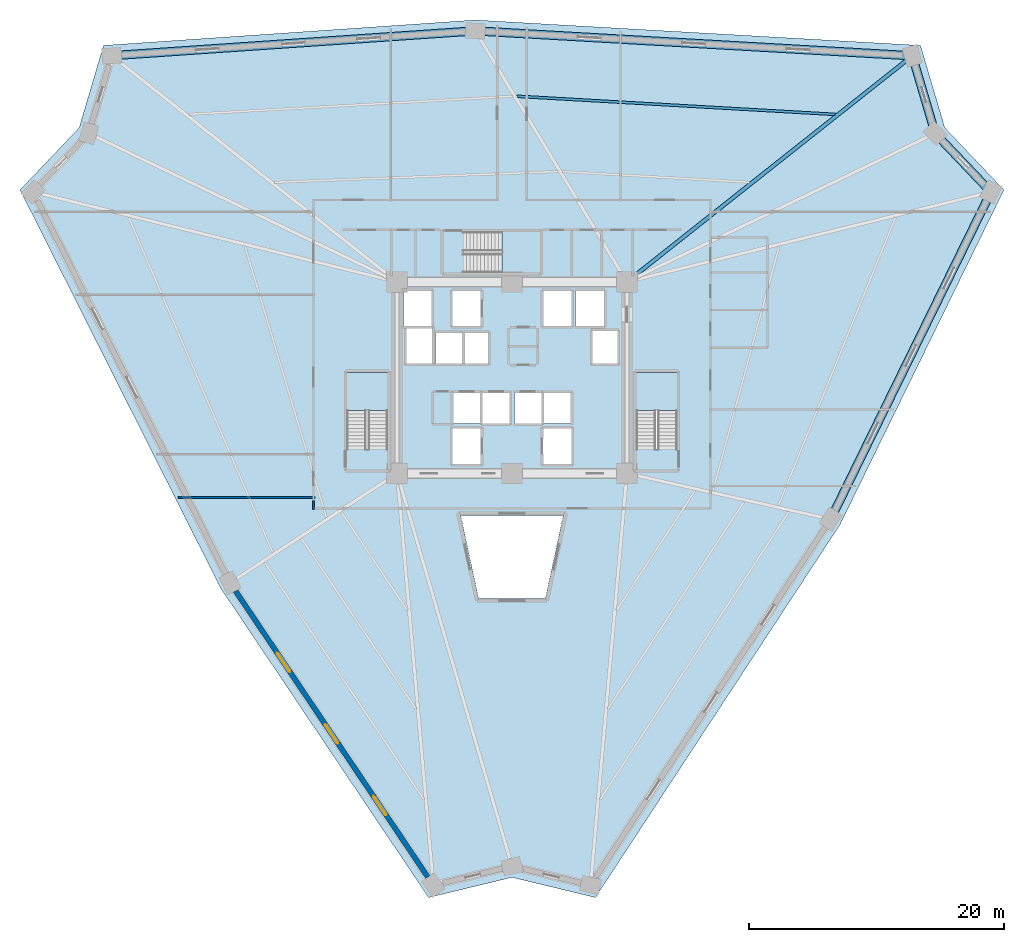
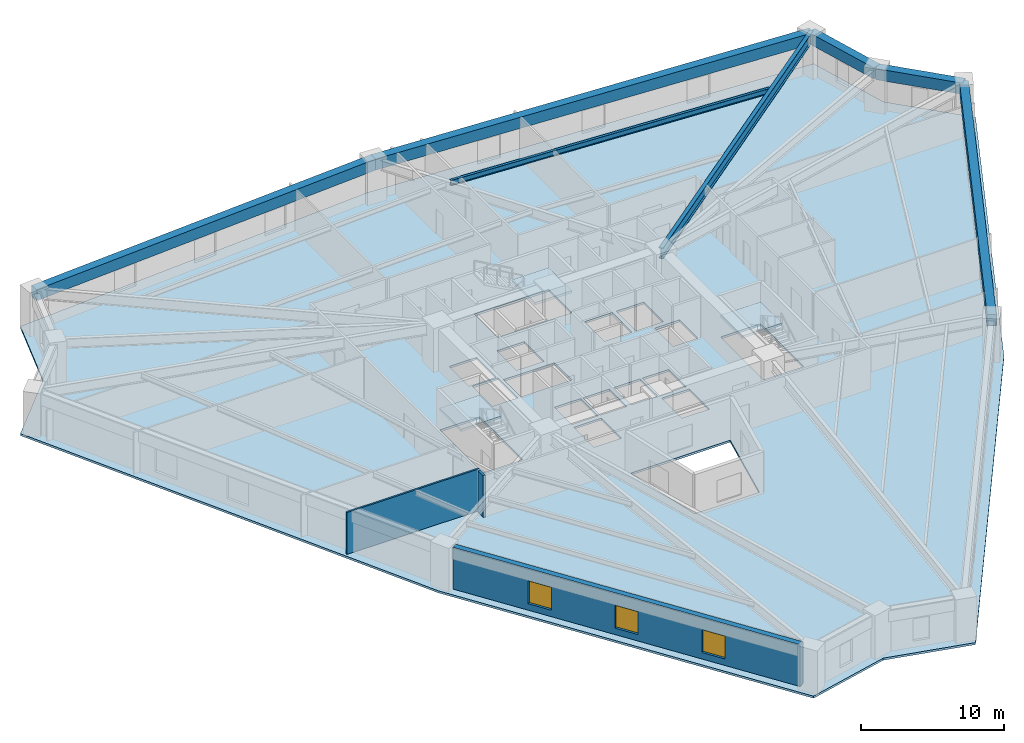
# One storey, part 2 of 8: 7 beams, 4 slabs, 3 walls, 3 windows, 3 openings, 3 elements without a shape of their own.
"""IFC4 building model written with IfcOpenShell, lengths in metres."""

from ifc_helpers import new_model, si_unit, direction, frame, frame_2d, origin, origin_2d, place, context, subcontext, project, spatial, polyline, rectangle, i_section, outline, extrude, source, transform, mapped, material, layer, layer_set, material_profile, profile_set, type_object, element, fill, aggregate, save


model = new_model("IFC4")

# Units and contexts
model_context = context("Model", 3, precision=1e-05, world=origin(), true_north=direction((0.0, 1.0)))
body_context = subcontext(model_context, "Body", "Model", "MODEL_VIEW")
ifc_project = project(units=[si_unit("LENGTHUNIT", "METRE"), si_unit("AREAUNIT", "SQUARE_METRE"), si_unit("VOLUMEUNIT", "CUBIC_METRE"), si_unit("PLANEANGLEUNIT", "RADIAN"), si_unit("MASSUNIT", "GRAM", prefix="KILO")], contexts=[model_context])

# Site, building, storey
site_placement = place(None, origin())
site = spatial("IfcSite", under=ifc_project, at=site_placement, CompositionType="ELEMENT")
building_placement = place(site_placement, origin())
building = spatial("IfcBuilding", under=site, at=building_placement, Name="Liaohun Quay Tower", CompositionType="ELEMENT")
storey_placement = place(building_placement, frame((0.0, 0.0, 85.5)))
storey = spatial("IfcBuildingStorey", under=building, at=storey_placement, Name="L22", CompositionType="ELEMENT", Elevation=85.5)

# Beams
ifc_material_1 = material(Name="Steel Q420D", Category="steel")
ifc_material_profile_1 = material_profile(ifc_material_1, i_section(OverallWidth=0.300048828125, OverallDepth=0.89990234375, WebThickness=0.01611328125, FlangeThickness=0.028076171875, at=origin_2d()), Name="HN900x300x16x28")
ifc_profile_set_1 = profile_set([ifc_material_profile_1], Name="Steel Q420D")
beam_type_1 = type_object("IfcBeamType", Name="BM-RAD-H1", PredefinedType="BEAM", material=ifc_profile_set_1)
shared_shape_1 = source(origin(), body_context, "Body", "SweptSolid", [
    extrude(i_section(OverallWidth=0.300048828125, OverallDepth=0.89990234375, WebThickness=0.01611328125, FlangeThickness=0.028076171875, at=origin_2d()), origin(), (0.0, 0.0, 1.0), 28.531005859375),
])
beam_1_placement = place(storey_placement, frame((69.0, 61.5, 3.1201171875), z_axis=(0.783884255344, 0.620906977109, 0.0), x_axis=(-0.620906977109, 0.783884255344, 0.0)))
element("IfcBeam", 1, at=beam_1_placement, inside=storey, type_object=beam_type_1, Name="L22 Radial Primary Girder CC4-PC07", PredefinedType="BEAM", context=body_context, shape_type="MappedRepresentation", body=[
    mapped(shared_shape_1, transform((0.0, 0.0, 0.0), x_axis=(1.0, 0.0, 0.0), y_axis=(0.0, 1.0, 0.0), z_axis=(0.0, 0.0, 1.0), scale=1.0)),
])
ifc_material_2 = material(Name="Steel Q355D", Category="steel")
ifc_material_profile_2 = material_profile(ifc_material_2, i_section(OverallWidth=0.199951171875, OverallDepth=0.449951171875, WebThickness=0.009033203125, FlangeThickness=0.013916015625, at=origin_2d()), Name="HN450x200x9x14")
ifc_profile_set_2 = profile_set([ifc_material_profile_2], Name="Steel Q355D")
beam_type_2 = type_object("IfcBeamType", Name="BM-SEC-J1", PredefinedType="JOIST", material=ifc_profile_set_2)
shared_shape_2 = source(origin(), body_context, "Body", "SweptSolid", [
    extrude(i_section(OverallWidth=0.199951171875, OverallDepth=0.449951171875, WebThickness=0.009033203125, FlangeThickness=0.013916015625, at=origin_2d()), origin(), (0.0, 0.0, 1.0), 24.972412109375),
])
beam_2_placement = place(storey_placement, frame((60.39306640625, 76.0439453125, 3.344970703125), z_axis=(0.99837772379, -0.056937866485, 0.0), x_axis=(0.056937866485, 0.99837772379, 0.0)))
element("IfcBeam", 2, at=beam_2_placement, inside=storey, type_object=beam_type_2, Name="L22 Wing Secondary Floor Joist SJ-09", PredefinedType="JOIST", context=body_context, shape_type="MappedRepresentation", body=[
    mapped(shared_shape_2, transform((0.0, 0.0, 0.0), x_axis=(1.0, 0.0, 0.0), y_axis=(0.0, 1.0, 0.0), z_axis=(0.0, 0.0, 1.0), scale=1.0)),
])
ifc_material_3 = material(Name="Precast concrete C55", Category="concrete")
ifc_material_profile_3 = material_profile(ifc_material_3, rectangle(XDim=0.64990234375, YDim=0.949951171875, at=origin_2d()), Name="RC650x950")
ifc_profile_set_3 = profile_set([ifc_material_profile_3], Name="Precast concrete C55")
beam_type_3 = type_object("IfcBeamType", Name="BM-SPD-Z1", PredefinedType="SPANDREL", material=ifc_profile_set_3)
shared_shape_3 = source(origin(), body_context, "Body", "SweptSolid", [
    extrude(rectangle(XDim=0.64990234375, YDim=0.949951171875, at=origin_2d()), origin(), (0.0, 0.0, 1.0), 28.553466796875),
])
beam_3_placement = place(storey_placement, frame((28.636962890625, 79.221923828125, 3.094970703125), z_axis=(0.997674782154, 0.068154449993, 0.0), x_axis=(-0.068154449993, 0.997674782154, 0.0)))
element("IfcBeam", 3, at=beam_3_placement, inside=storey, type_object=beam_type_3, Name="L22 Precast Spandrel Beam PC05-PC06", PredefinedType="SPANDREL", context=body_context, shape_type="MappedRepresentation", body=[
    mapped(shared_shape_3, transform((0.0, 0.0, 0.0), x_axis=(1.0, 0.0, 0.0), y_axis=(0.0, 1.0, 0.0), z_axis=(0.0, 0.0, 1.0), scale=1.0)),
])
shared_shape_4 = source(origin(), body_context, "Body", "SweptSolid", [
    extrude(rectangle(XDim=0.64990234375, YDim=0.949951171875, at=origin_2d()), origin(), (0.0, 0.0, 1.0), 34.296630859375),
])
beam_4_placement = place(storey_placement, frame((57.1240234375, 81.16796875, 3.094970703125), z_axis=(0.998377549217, -0.056940927453, 0.0), x_axis=(0.056940927453, 0.998377549217, 0.0)))
element("IfcBeam", 4, at=beam_4_placement, inside=storey, type_object=beam_type_3, Name="L22 Precast Spandrel Beam PC06-PC07", PredefinedType="SPANDREL", context=body_context, shape_type="MappedRepresentation", body=[
    mapped(shared_shape_4, transform((0.0, 0.0, 0.0), x_axis=(1.0, 0.0, 0.0), y_axis=(0.0, 1.0, 0.0), z_axis=(0.0, 0.0, 1.0), scale=1.0)),
])
shared_shape_5 = source(origin(), body_context, "Body", "SweptSolid", [
    extrude(rectangle(XDim=0.64990234375, YDim=0.949951171875, at=origin_2d()), origin(), (0.0, 0.0, 1.0), 6.331298828125),
])
beam_5_placement = place(storey_placement, frame((91.364990234375, 79.215087890625, 3.094970703125), z_axis=(0.282727863504, -0.959200164303, 0.0), x_axis=(0.959200164303, 0.282727863504, 0.0)))
element("IfcBeam", 5, at=beam_5_placement, inside=storey, type_object=beam_type_3, Name="L22 Precast Spandrel Beam PC07-PC08", PredefinedType="SPANDREL", context=body_context, shape_type="MappedRepresentation", body=[
    mapped(shared_shape_5, transform((0.0, 0.0, 0.0), x_axis=(1.0, 0.0, 0.0), y_axis=(0.0, 1.0, 0.0), z_axis=(0.0, 0.0, 1.0), scale=1.0)),
])
shared_shape_6 = source(origin(), body_context, "Body", "SweptSolid", [
    extrude(rectangle(XDim=0.64990234375, YDim=0.949951171875, at=origin_2d()), origin(), (0.0, 0.0, 1.0), 6.3388671875),
])
beam_6_placement = place(storey_placement, frame((93.155029296875, 73.14208984375, 3.094970703125), z_axis=(0.689365642578, -0.724413563397, 0.0), x_axis=(0.724413563397, 0.689365642578, 0.0)))
element("IfcBeam", 6, at=beam_6_placement, inside=storey, type_object=beam_type_3, Name="L22 Precast Spandrel Beam PC08-PC09", PredefinedType="SPANDREL", context=body_context, shape_type="MappedRepresentation", body=[
    mapped(shared_shape_6, transform((0.0, 0.0, 0.0), x_axis=(1.0, 0.0, 0.0), y_axis=(0.0, 1.0, 0.0), z_axis=(0.0, 0.0, 1.0), scale=1.0)),
])
shared_shape_7 = source(origin(), body_context, "Body", "SweptSolid", [
    extrude(rectangle(XDim=0.64990234375, YDim=0.949951171875, at=origin_2d()), origin(), (0.0, 0.0, 1.0), 28.552978515625),
])
beam_7_placement = place(storey_placement, frame((97.52490234375, 68.550048828125, 3.094970703125), z_axis=(-0.439810731033, -0.898090485902, 0.0), x_axis=(0.898090485902, -0.439810731033, 0.0)))
element("IfcBeam", 7, at=beam_7_placement, inside=storey, type_object=beam_type_3, Name="L22 Precast Spandrel Beam PC09-PC10", PredefinedType="SPANDREL", context=body_context, shape_type="MappedRepresentation", body=[
    mapped(shared_shape_7, transform((0.0, 0.0, 0.0), x_axis=(1.0, 0.0, 0.0), y_axis=(0.0, 1.0, 0.0), z_axis=(0.0, 0.0, 1.0), scale=1.0)),
])

# Stair, slab
ifc_material_4 = material(Name="Concrete C45", Category="concrete")
stair_type = type_object("IfcStairType", Name="STR-CORE-OFF", PredefinedType="HALF_TURN_STAIR", material=ifc_material_4)
stair_1_placement = place(storey_placement, origin())
stair_1 = element("IfcStair", 8, at=stair_1_placement, inside=storey, type_object=stair_type, Name="L22 Smokeproof Core Exit Stair ST-1", PredefinedType="HALF_TURN_STAIR")
ifc_layer_1 = layer(ifc_material_4, 0.199951171875, Name="Concrete C45", Category="concrete")
ifc_layer_set_1 = layer_set([ifc_layer_1], Name="Concrete C45")
slab_type_1 = type_object("IfcSlabType", Name="SLB-LND-200", PredefinedType="LANDING", material=ifc_layer_set_1)
slab_1_placement = place(storey_placement, frame((0.0, 0.0, 1.675048828125)))
slab_1 = element("IfcSlab", 9, at=slab_1_placement, type_object=slab_type_1, Name="ST-1 landing 1", PredefinedType="LANDING", context=body_context, shape_type="SweptSolid", body=[
    extrude(outline(polyline([(50.280029296875, 51.429931640625), (50.280029296875, 54.419921875), (47.0400390625, 54.419921875), (47.0400390625, 51.429931640625), (50.280029296875, 51.429931640625)])), origin(), (0.0, 0.0, 1.0), 0.199951171875),
])
aggregate(stair_1, [slab_1])

stair_2_placement = place(storey_placement, origin())
stair_2 = element("IfcStair", 10, at=stair_2_placement, inside=storey, type_object=stair_type, Name="L22 Smokeproof Core Exit Stair ST-2", PredefinedType="HALF_TURN_STAIR")
slab_2_placement = place(storey_placement, frame((0.0, 0.0, 1.675048828125)))
slab_2 = element("IfcSlab", 11, at=slab_2_placement, type_object=slab_type_1, Name="ST-2 landing 1", PredefinedType="LANDING", context=body_context, shape_type="SweptSolid", body=[
    extrude(outline(polyline([(72.9599609375, 51.429931640625), (72.9599609375, 54.419921875), (69.719970703125, 54.419921875), (69.719970703125, 51.429931640625), (72.9599609375, 51.429931640625)])), origin(), (0.0, 0.0, 1.0), 0.199951171875),
])
aggregate(stair_2, [slab_2])

stair_3_placement = place(storey_placement, origin())
stair_3 = element("IfcStair", 12, at=stair_3_placement, inside=storey, type_object=stair_type, Name="L22 Smokeproof Core Exit Stair ST-3", PredefinedType="HALF_TURN_STAIR")
slab_3_placement = place(storey_placement, frame((0.0, 0.0, 1.675048828125)))
slab_3 = element("IfcSlab", 13, at=slab_3_placement, type_object=slab_type_1, Name="ST-3 landing 1", PredefinedType="LANDING", context=body_context, shape_type="SweptSolid", body=[
    extrude(outline(polyline([(59.22998046875, 62.199951171875), (62.219970703125, 62.199951171875), (62.219970703125, 65.43994140625), (59.22998046875, 65.43994140625), (59.22998046875, 62.199951171875)])), origin(), (0.0, 0.0, 1.0), 0.199951171875),
])
aggregate(stair_3, [slab_3])

# Slab
ifc_layer_2 = layer(ifc_material_4, 0.179931640625, Name="Concrete C45", Category="concrete")
ifc_layer_set_2 = layer_set([ifc_layer_2], Name="Concrete C45")
slab_type_2 = type_object("IfcSlabType", Name="SLB-OFF-180", PredefinedType="FLOOR", material=ifc_layer_set_2)
slab_4_placement = place(storey_placement, frame((0.0, 0.0, -0.179931640625)))
element("IfcSlab", 14, at=slab_4_placement, inside=storey, type_object=slab_type_2, Name="L22 Structural Floor Slab", PredefinedType="FLOOR", context=body_context, shape_type="SweptSolid", body=[
    extrude(outline(polyline([(53.462890625, 13.261962890625), (60.0, 14.841064453125), (66.537109375, 13.261962890625), (85.70703125, 42.485107421875), (98.549072265625, 68.70703125), (93.912109375, 73.5791015625), (92.010986328125, 80.030029296875), (57.118896484375, 82.02001953125), (27.989013671875, 80.030029296875), (26.087890625, 73.5791015625), (21.450927734375, 68.70703125), (37.174072265625, 37.4951171875), (53.462890625, 13.261962890625)]), holes=[polyline([(57.56005859375, 47.2099609375), (57.56005859375, 50.030029296875), (55.340087890625, 50.030029296875), (55.340087890625, 47.2099609375), (57.56005859375, 47.2099609375)]), polyline([(50.280029296875, 54.419921875), (47.0400390625, 54.419921875), (47.0400390625, 48.409912109375), (50.280029296875, 48.409912109375), (50.280029296875, 54.419921875)]), polyline([(57.510009765625, 50.389892578125), (57.510009765625, 52.81005859375), (55.389892578125, 52.81005859375), (55.389892578125, 50.389892578125), (57.510009765625, 50.389892578125)]), polyline([(59.81005859375, 50.389892578125), (59.81005859375, 52.81005859375), (57.68994140625, 52.81005859375), (57.68994140625, 50.389892578125), (59.81005859375, 50.389892578125)]), polyline([(58.110107421875, 57.510009765625), (53.989990234375, 57.510009765625), (53.989990234375, 55.090087890625), (58.110107421875, 55.090087890625), (58.110107421875, 57.510009765625)]), polyline([(53.760009765625, 55.090087890625), (53.760009765625, 57.909912109375), (51.7099609375, 57.909912109375), (51.7099609375, 55.090087890625), (53.760009765625, 55.090087890625)]), polyline([(51.489990234375, 58.0400390625), (53.7099609375, 58.0400390625), (53.7099609375, 60.7900390625), (51.489990234375, 60.7900390625), (51.489990234375, 58.0400390625)]), polyline([(55.340087890625, 58.0400390625), (57.56005859375, 58.0400390625), (57.56005859375, 60.7900390625), (55.340087890625, 60.7900390625), (55.340087890625, 58.0400390625)]), polyline([(62.612060546875, 36.69189453125), (64.01904296875, 43.199951171875), (55.98095703125, 43.199951171875), (57.387939453125, 36.69189453125), (62.612060546875, 36.69189453125)]), polyline([(64.659912109375, 47.2099609375), (64.659912109375, 50.030029296875), (62.43994140625, 50.030029296875), (62.43994140625, 47.2099609375), (64.659912109375, 47.2099609375)]), polyline([(72.9599609375, 54.419921875), (69.719970703125, 54.419921875), (69.719970703125, 48.409912109375), (72.9599609375, 48.409912109375), (72.9599609375, 54.419921875)]), polyline([(62.31005859375, 50.389892578125), (62.31005859375, 52.81005859375), (60.18994140625, 52.81005859375), (60.18994140625, 50.389892578125), (62.31005859375, 50.389892578125)]), polyline([(64.610107421875, 50.389892578125), (64.610107421875, 52.81005859375), (62.489990234375, 52.81005859375), (62.489990234375, 50.389892578125), (64.610107421875, 50.389892578125)]), polyline([(68.2900390625, 55.090087890625), (68.2900390625, 57.659912109375), (66.2900390625, 57.659912109375), (66.2900390625, 55.090087890625), (68.2900390625, 55.090087890625)]), polyline([(64.659912109375, 58.0400390625), (64.659912109375, 60.7900390625), (62.43994140625, 60.7900390625), (62.43994140625, 58.0400390625), (64.659912109375, 58.0400390625)]), polyline([(64.989990234375, 58.0400390625), (67.2099609375, 58.0400390625), (67.2099609375, 60.7900390625), (64.989990234375, 60.7900390625), (64.989990234375, 58.0400390625)]), polyline([(56.2099609375, 62.199951171875), (62.219970703125, 62.199951171875), (62.219970703125, 65.43994140625), (56.2099609375, 65.43994140625), (56.2099609375, 62.199951171875)])]), origin(), (0.0, 0.0, 1.0), 0.179931640625),
])

# Wall, openings, windows
ifc_material_5 = material(Name="Precast concrete C50 insulated sandwich", Category="concrete")
ifc_layer_3 = layer(ifc_material_5, 0.419921875, Name="Precast concrete C50 insulated sandwich", Category="concrete")
ifc_layer_set_3 = layer_set([ifc_layer_3], Name="Precast concrete C50 insulated sandwich")
wall_type_1 = type_object("IfcWallType", Name="WAL-EXT-Z12", PredefinedType="SOLIDWALL", material=ifc_layer_set_3)
wall_1_placement = place(storey_placement, frame((38.3359375, 37.2900390625, 0.0), z_axis=(0.0, 0.0, 1.0), x_axis=(0.557846442621, -0.829944182735, 0.0)))
wall_1 = element("IfcWall", 15, at=wall_1_placement, inside=storey, type_object=wall_type_1, Name="L22 Brutalist Precast Pier Wall 11", PredefinedType="SOLIDWALL", context=body_context, shape_type="SweptSolid", body=[
    extrude(rectangle(XDim=27.0234375, YDim=0.419921875, at=frame_2d((13.51171875, 0.0))), origin(), (0.0, 0.0, 1.0), 3.570068359375),
])
shared_shape_8 = source(origin(), body_context, "Body", "SweptSolid", [
    extrude(rectangle(XDim=1.800048828125, YDim=1.949951171875, at=frame_2d((0.89990234375, 0.97509765625))), frame((0.0, 0.219970703125, 0.0), z_axis=(0.0, -1.0, 0.0), x_axis=(1.0, 0.0, 0.0)), (0.0, 0.0, 1.0), 0.43994140625),
])
opening_1_placement = place(wall_1_placement, frame((5.85595703125, 0.0, 0.550048828125)))
opening_1 = element("IfcOpeningElement", 16, at=opening_1_placement, cuts=wall_1, Name="Opening W01", PredefinedType="OPENING", context=body_context, shape_type="MappedRepresentation", body=[
    mapped(shared_shape_8, transform((0.0, 0.0, 0.0), x_axis=(1.0, 0.0, 0.0), y_axis=(0.0, 1.0, 0.0), z_axis=(0.0, 0.0, 1.0), scale=1.0)),
])
opening_2_placement = place(wall_1_placement, frame((12.612060546875, 0.0, 0.550048828125)))
opening_2 = element("IfcOpeningElement", 17, at=opening_2_placement, cuts=wall_1, Name="Opening W01", PredefinedType="OPENING", context=body_context, shape_type="MappedRepresentation", body=[
    mapped(shared_shape_8, transform((0.0, 0.0, 0.0), x_axis=(1.0, 0.0, 0.0), y_axis=(0.0, 1.0, 0.0), z_axis=(0.0, 0.0, 1.0), scale=1.0)),
])
opening_3_placement = place(wall_1_placement, frame((19.367919921875, 0.0, 0.550048828125)))
opening_3 = element("IfcOpeningElement", 18, at=opening_3_placement, cuts=wall_1, Name="Opening W01", PredefinedType="OPENING", context=body_context, shape_type="MappedRepresentation", body=[
    mapped(shared_shape_8, transform((0.0, 0.0, 0.0), x_axis=(1.0, 0.0, 0.0), y_axis=(0.0, 1.0, 0.0), z_axis=(0.0, 0.0, 1.0), scale=1.0)),
])
ifc_material_6 = material(Name="Triple Low-E argon glazing in thermally broken aluminium", Category="aluminium")
window_type = type_object("IfcWindowType", Name="WIN-PUN-Z1", PartitioningType="DOUBLE_PANEL_VERTICAL", PredefinedType="WINDOW", material=ifc_material_6)
shared_shape_9 = source(origin(), body_context, "Body", "SweptSolid", [
    extrude(rectangle(XDim=1.800048828125, YDim=1.949951171875, at=frame_2d((0.89990234375, 0.97509765625))), frame((0.0, 0.030029296875, 0.0), z_axis=(0.0, -1.0, 0.0), x_axis=(1.0, 0.0, 0.0)), (0.0, 0.0, 1.0), 0.06005859375),
])
window_1_placement = place(opening_1_placement, origin())
window_1 = element("IfcWindow", 19, at=window_1_placement, inside=storey, type_object=window_type, Name="L22 Recessed Cold-Climate Punched Window 11-1", OverallHeight=1.949951171875, OverallWidth=1.800048828125, PartitioningType="DOUBLE_PANEL_VERTICAL", PredefinedType="WINDOW", context=body_context, shape_type="MappedRepresentation", body=[
    mapped(shared_shape_9, transform((0.0, 0.0, 0.0), x_axis=(1.0, 0.0, 0.0), y_axis=(0.0, 1.0, 0.0), z_axis=(0.0, 0.0, 1.0), scale=1.0)),
])
fill(opening_1, window_1)
window_2_placement = place(opening_2_placement, origin())
window_2 = element("IfcWindow", 20, at=window_2_placement, inside=storey, type_object=window_type, Name="L22 Recessed Cold-Climate Punched Window 11-2", OverallHeight=1.949951171875, OverallWidth=1.800048828125, PartitioningType="DOUBLE_PANEL_VERTICAL", PredefinedType="WINDOW", context=body_context, shape_type="MappedRepresentation", body=[
    mapped(shared_shape_9, transform((0.0, 0.0, 0.0), x_axis=(1.0, 0.0, 0.0), y_axis=(0.0, 1.0, 0.0), z_axis=(0.0, 0.0, 1.0), scale=1.0)),
])
fill(opening_2, window_2)
window_3_placement = place(opening_3_placement, origin())
window_3 = element("IfcWindow", 21, at=window_3_placement, inside=storey, type_object=window_type, Name="L22 Recessed Cold-Climate Punched Window 11-3", OverallHeight=1.949951171875, OverallWidth=1.800048828125, PartitioningType="DOUBLE_PANEL_VERTICAL", PredefinedType="WINDOW", context=body_context, shape_type="MappedRepresentation", body=[
    mapped(shared_shape_9, transform((0.0, 0.0, 0.0), x_axis=(1.0, 0.0, 0.0), y_axis=(0.0, 1.0, 0.0), z_axis=(0.0, 0.0, 1.0), scale=1.0)),
])
fill(opening_3, window_3)

# Walls
ifc_material_7 = material(Name="Autoclaved aerated concrete blockwork", Category="masonry")
ifc_layer_4 = layer(ifc_material_7, 0.179931640625, Name="Autoclaved aerated concrete blockwork", Category="masonry")
ifc_layer_set_4 = layer_set([ifc_layer_4], Name="Autoclaved aerated concrete blockwork")
wall_type_2 = type_object("IfcWallType", Name="WAL-PRT-COR", PredefinedType="PARTITIONING", material=ifc_layer_set_4)
wall_2_placement = place(storey_placement, frame((44.43994140625, 43.669921875, 0.0), z_axis=(0.0, 0.0, 1.0), x_axis=(0.0, 1.0, 0.0)))
element("IfcWall", 22, at=wall_2_placement, inside=storey, type_object=wall_type_2, Name="L22 Interior Partition Wall 045", PredefinedType="PARTITIONING", context=body_context, shape_type="SweptSolid", body=[
    extrude(rectangle(XDim=0.715087890625, YDim=0.179931640625, at=frame_2d((0.357421875, 0.0))), origin(), (0.0, 0.0, 1.0), 3.570068359375),
])
ifc_material_8 = material(Name="Gypsum board on twin steel studs", Category="steel")
ifc_layer_5 = layer(ifc_material_8, 0.139892578125, Name="Gypsum board on twin steel studs", Category="steel")
ifc_layer_set_5 = layer_set([ifc_layer_5], Name="Gypsum board on twin steel studs")
wall_type_3 = type_object("IfcWallType", Name="WAL-PRT-OFF", PredefinedType="PARTITIONING", material=ifc_layer_set_5)
wall_3_placement = place(storey_placement, frame((44.5400390625, 44.60009765625, 0.0), z_axis=(0.0, 0.0, 1.0), x_axis=(-1.0, 0.0, 0.0)))
element("IfcWall", 23, at=wall_3_placement, inside=storey, type_object=wall_type_3, Name="L22 Interior Partition Wall 046", PredefinedType="PARTITIONING", context=body_context, shape_type="SweptSolid", body=[
    extrude(rectangle(XDim=10.698974609375, YDim=0.139892578125, at=frame_2d((5.349609375, 0.0))), origin(), (0.0, 0.0, 1.0), 3.570068359375),
])

save(model, "model.ifc")
